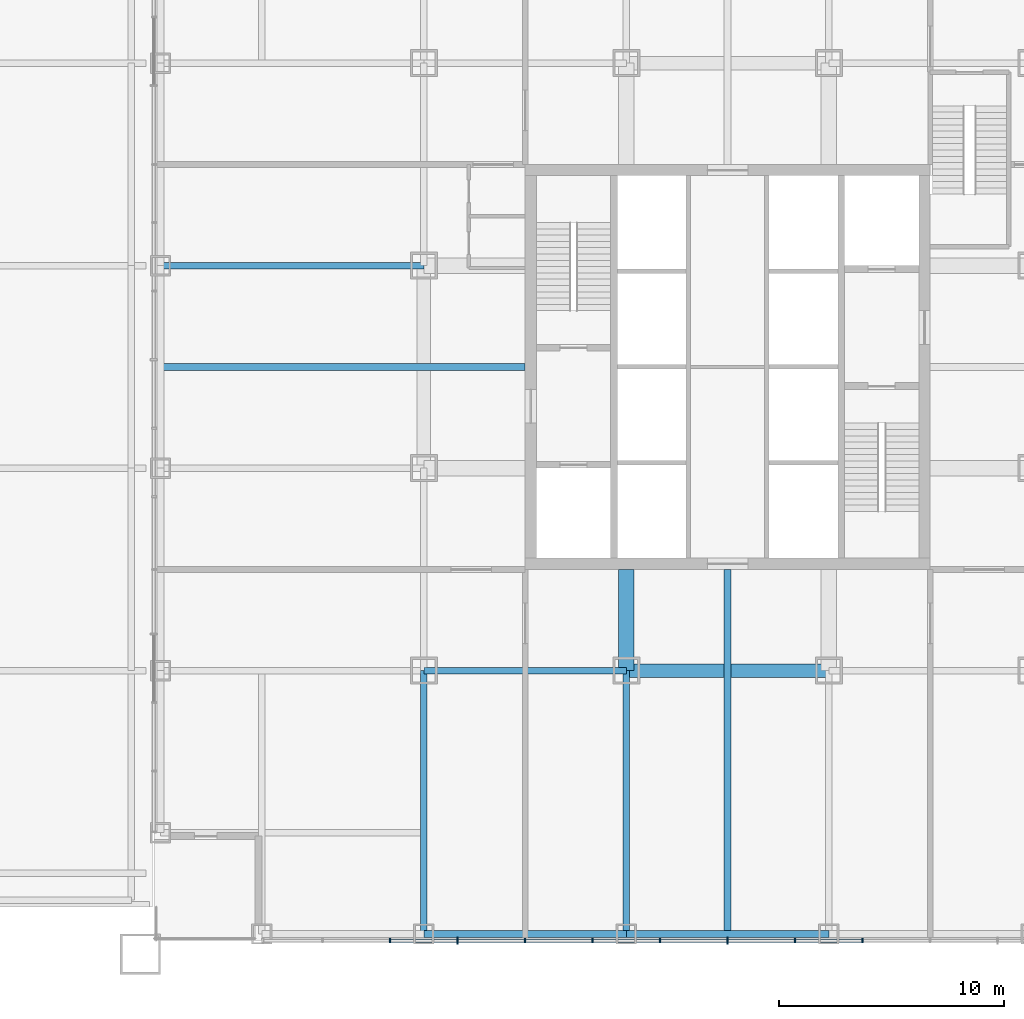
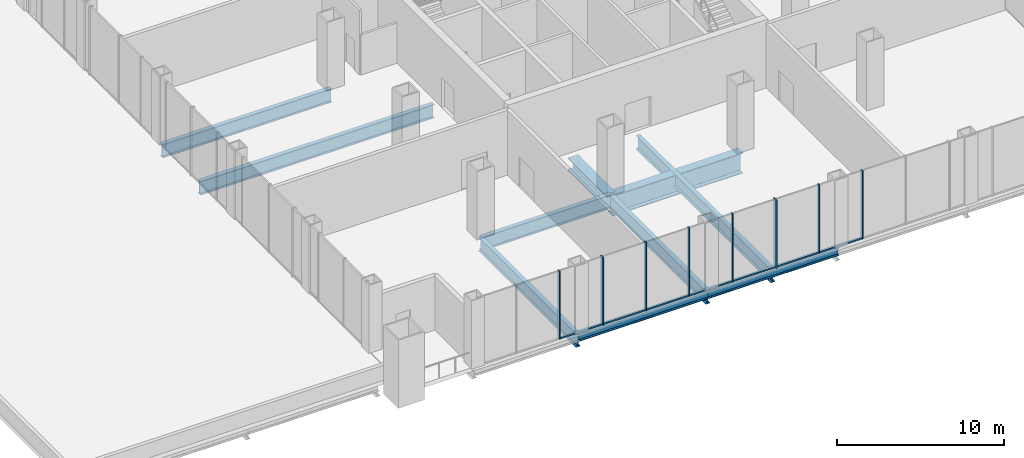
# One storey, part 4 of 16: 15 members, 10 beams, 1 element without a shape of its own.
"""IFC4 building model written with IfcOpenShell, lengths in metres."""

from ifc_helpers import new_model, si_unit, direction, frame, origin, origin_2d, place, context, subcontext, project, spatial, rectangle, i_section, extrude, material, layer, layer_set, material_profile, profile_set, type_object, element, aggregate, save


model = new_model("IFC4")

# Units and contexts
model_context = context("Model", 3, precision=1e-05, world=origin(), true_north=direction((0.0, 1.0)))
body_context = subcontext(model_context, "Body", "Model", "MODEL_VIEW")
ifc_project = project(units=[si_unit("LENGTHUNIT", "METRE"), si_unit("AREAUNIT", "SQUARE_METRE"), si_unit("VOLUMEUNIT", "CUBIC_METRE"), si_unit("PLANEANGLEUNIT", "RADIAN"), si_unit("MASSUNIT", "GRAM", prefix="KILO")], contexts=[model_context])

# Site, building, storey
site_placement = place(None, origin())
site = spatial("IfcSite", under=ifc_project, at=site_placement, CompositionType="ELEMENT")
building_placement = place(site_placement, origin())
building = spatial("IfcBuilding", under=site, at=building_placement, Name="Malebo Sky Hospital", CompositionType="ELEMENT")
storey_placement = place(building_placement, frame((0.0, 0.0, 26.0)))
storey = spatial("IfcBuildingStorey", under=building, at=storey_placement, Name="L05", CompositionType="ELEMENT", Elevation=26.0)

# Curtain wall, members
ifc_material_1 = material(Name="Anodised aluminium, natural silver", Category="aluminium")
ifc_layer = layer(ifc_material_1, 0.25)
ifc_layer_set = layer_set([ifc_layer], Name="PLANT LOUVRE SCREEN")
curtain_wall_type = type_object("IfcCurtainWallType", Name="PLANT LOUVRE SCREEN", PredefinedType="NOTDEFINED", material=ifc_layer_set)
curtain_wall_placement = place(storey_placement, origin())
curtain_wall = element("IfcCurtainWall", 1, at=curtain_wall_placement, inside=storey, type_object=curtain_wall_type, Name="PLANT curtain wall S", PredefinedType="NOTDEFINED")
ifc_material_profile_1 = material_profile(ifc_material_1, rectangle(XDim=0.14990234375, YDim=0.10009765625, at=origin_2d()), Name="ALUMINIUM TRANSOM 150x100")
ifc_profile_set_1 = profile_set([ifc_material_profile_1], Name="Anodised aluminium, natural silver")
member_type_1 = type_object("IfcMemberType", Name="ALUMINIUM TRANSOM 150x100", PredefinedType="USERDEFINED", material=ifc_profile_set_1)
member_1_placement = place(storey_placement, frame((65.96240234375, 36.5, 0.050048828125), z_axis=(-1.0, 0.0, 0.0), x_axis=(0.0, -1.0, 0.0)))
member_1 = element("IfcMember", 2, at=member_1_placement, type_object=member_type_1, Name="Transom 6", ObjectType="TRANSOM", PredefinedType="USERDEFINED", context=body_context, shape_type="SweptSolid", body=[
    extrude(rectangle(XDim=0.14990234375, YDim=0.10009765625, at=origin_2d()), origin(), (0.0, 0.0, 1.0), 2.9248046875),
])
member_2_placement = place(storey_placement, frame((62.96240234375, 36.5, 0.050048828125), z_axis=(-1.0, 0.0, 0.0), x_axis=(0.0, -1.0, 0.0)))
member_2 = element("IfcMember", 3, at=member_2_placement, type_object=member_type_1, Name="Transom 7", ObjectType="TRANSOM", PredefinedType="USERDEFINED", context=body_context, shape_type="SweptSolid", body=[
    extrude(rectangle(XDim=0.14990234375, YDim=0.10009765625, at=origin_2d()), origin(), (0.0, 0.0, 1.0), 2.9248046875),
])
member_3_placement = place(storey_placement, frame((59.96240234375, 36.5, 0.050048828125), z_axis=(-1.0, 0.0, 0.0), x_axis=(0.0, -1.0, 0.0)))
member_3 = element("IfcMember", 4, at=member_3_placement, type_object=member_type_1, Name="Transom 8", ObjectType="TRANSOM", PredefinedType="USERDEFINED", context=body_context, shape_type="SweptSolid", body=[
    extrude(rectangle(XDim=0.14990234375, YDim=0.10009765625, at=origin_2d()), origin(), (0.0, 0.0, 1.0), 2.9248046875),
])
member_4_placement = place(storey_placement, frame((56.96240234375, 36.5, 0.050048828125), z_axis=(-1.0, 0.0, 0.0), x_axis=(0.0, -1.0, 0.0)))
member_4 = element("IfcMember", 5, at=member_4_placement, type_object=member_type_1, Name="Transom 9", ObjectType="TRANSOM", PredefinedType="USERDEFINED", context=body_context, shape_type="SweptSolid", body=[
    extrude(rectangle(XDim=0.14990234375, YDim=0.10009765625, at=origin_2d()), origin(), (0.0, 0.0, 1.0), 2.9248046875),
])
member_5_placement = place(storey_placement, frame((53.96240234375, 36.5, 0.050048828125), z_axis=(-1.0, 0.0, 0.0), x_axis=(0.0, -1.0, 0.0)))
member_5 = element("IfcMember", 6, at=member_5_placement, type_object=member_type_1, Name="Transom 10", ObjectType="TRANSOM", PredefinedType="USERDEFINED", context=body_context, shape_type="SweptSolid", body=[
    extrude(rectangle(XDim=0.14990234375, YDim=0.10009765625, at=origin_2d()), origin(), (0.0, 0.0, 1.0), 2.9248046875),
])
member_6_placement = place(storey_placement, frame((50.96240234375, 36.5, 0.050048828125), z_axis=(-1.0, 0.0, 0.0), x_axis=(0.0, -1.0, 0.0)))
member_6 = element("IfcMember", 7, at=member_6_placement, type_object=member_type_1, Name="Transom 11", ObjectType="TRANSOM", PredefinedType="USERDEFINED", context=body_context, shape_type="SweptSolid", body=[
    extrude(rectangle(XDim=0.14990234375, YDim=0.10009765625, at=origin_2d()), origin(), (0.0, 0.0, 1.0), 2.9248046875),
])
member_7_placement = place(storey_placement, frame((47.96240234375, 36.5, 0.050048828125), z_axis=(-1.0, 0.0, 0.0), x_axis=(0.0, -1.0, 0.0)))
member_7 = element("IfcMember", 8, at=member_7_placement, type_object=member_type_1, Name="Transom 12", ObjectType="TRANSOM", PredefinedType="USERDEFINED", context=body_context, shape_type="SweptSolid", body=[
    extrude(rectangle(XDim=0.14990234375, YDim=0.10009765625, at=origin_2d()), origin(), (0.0, 0.0, 1.0), 2.9248046875),
])
ifc_material_profile_2 = material_profile(ifc_material_1, rectangle(XDim=0.074951171875, YDim=0.199951171875, at=origin_2d()), Name="CW5 ALUMINIUM FIN MULLION 75x200")
ifc_profile_set_2 = profile_set([ifc_material_profile_2], Name="Anodised aluminium, natural silver")
member_type_2 = type_object("IfcMemberType", Name="CW5 ALUMINIUM FIN MULLION 75x200", PredefinedType="MULLION", material=ifc_profile_set_2)
member_8_placement = place(storey_placement, frame((66.0, 36.5, 0.0), z_axis=(0.0, 0.0, 1.0), x_axis=(-1.0, 0.0, 0.0)))
member_8 = element("IfcMember", 9, at=member_8_placement, type_object=member_type_2, Name="Fin mullion 6", PredefinedType="MULLION", context=body_context, shape_type="SweptSolid", body=[
    extrude(rectangle(XDim=0.074951171875, YDim=0.199951171875, at=origin_2d()), origin(), (0.0, 0.0, 1.0), 5.0),
])
member_9_placement = place(storey_placement, frame((63.0, 36.5, 0.0), z_axis=(0.0, 0.0, 1.0), x_axis=(-1.0, 0.0, 0.0)))
member_9 = element("IfcMember", 10, at=member_9_placement, type_object=member_type_2, Name="Fin mullion 7", PredefinedType="MULLION", context=body_context, shape_type="SweptSolid", body=[
    extrude(rectangle(XDim=0.074951171875, YDim=0.199951171875, at=origin_2d()), origin(), (0.0, 0.0, 1.0), 5.0),
])
member_10_placement = place(storey_placement, frame((57.0, 36.5, 0.0), z_axis=(0.0, 0.0, 1.0), x_axis=(-1.0, 0.0, 0.0)))
member_10 = element("IfcMember", 11, at=member_10_placement, type_object=member_type_2, Name="Fin mullion 9", PredefinedType="MULLION", context=body_context, shape_type="SweptSolid", body=[
    extrude(rectangle(XDim=0.074951171875, YDim=0.199951171875, at=origin_2d()), origin(), (0.0, 0.0, 1.0), 5.0),
])
member_11_placement = place(storey_placement, frame((54.0, 36.5, 0.0), z_axis=(0.0, 0.0, 1.0), x_axis=(-1.0, 0.0, 0.0)))
member_11 = element("IfcMember", 12, at=member_11_placement, type_object=member_type_2, Name="Fin mullion 10", PredefinedType="MULLION", context=body_context, shape_type="SweptSolid", body=[
    extrude(rectangle(XDim=0.074951171875, YDim=0.199951171875, at=origin_2d()), origin(), (0.0, 0.0, 1.0), 5.0),
])
member_12_placement = place(storey_placement, frame((51.0, 36.5, 0.0), z_axis=(0.0, 0.0, 1.0), x_axis=(-1.0, 0.0, 0.0)))
member_12 = element("IfcMember", 13, at=member_12_placement, type_object=member_type_2, Name="Fin mullion 11", PredefinedType="MULLION", context=body_context, shape_type="SweptSolid", body=[
    extrude(rectangle(XDim=0.074951171875, YDim=0.199951171875, at=origin_2d()), origin(), (0.0, 0.0, 1.0), 5.0),
])
member_13_placement = place(storey_placement, frame((45.0, 36.5, 0.0), z_axis=(0.0, 0.0, 1.0), x_axis=(-1.0, 0.0, 0.0)))
member_13 = element("IfcMember", 14, at=member_13_placement, type_object=member_type_2, Name="Fin mullion 13", PredefinedType="MULLION", context=body_context, shape_type="SweptSolid", body=[
    extrude(rectangle(XDim=0.074951171875, YDim=0.199951171875, at=origin_2d()), origin(), (0.0, 0.0, 1.0), 5.0),
])
ifc_material_profile_3 = material_profile(ifc_material_1, rectangle(XDim=0.074951171875, YDim=0.300048828125, at=origin_2d()), Name="CW5 ALUMINIUM FIN MULLION 75x300")
ifc_profile_set_3 = profile_set([ifc_material_profile_3], Name="Anodised aluminium, natural silver")
member_type_3 = type_object("IfcMemberType", Name="CW5 ALUMINIUM FIN MULLION 75x300", PredefinedType="MULLION", material=ifc_profile_set_3)
member_14_placement = place(storey_placement, frame((60.0, 36.5, 0.0), z_axis=(0.0, 0.0, 1.0), x_axis=(-1.0, 0.0, 0.0)))
member_14 = element("IfcMember", 15, at=member_14_placement, type_object=member_type_3, Name="Fin mullion 8", PredefinedType="MULLION", context=body_context, shape_type="SweptSolid", body=[
    extrude(rectangle(XDim=0.074951171875, YDim=0.300048828125, at=origin_2d()), origin(), (0.0, 0.0, 1.0), 5.0),
])
member_15_placement = place(storey_placement, frame((48.0, 36.5, 0.0), z_axis=(0.0, 0.0, 1.0), x_axis=(-1.0, 0.0, 0.0)))
member_15 = element("IfcMember", 16, at=member_15_placement, type_object=member_type_3, Name="Fin mullion 12", PredefinedType="MULLION", context=body_context, shape_type="SweptSolid", body=[
    extrude(rectangle(XDim=0.074951171875, YDim=0.300048828125, at=origin_2d()), origin(), (0.0, 0.0, 1.0), 5.0),
])
aggregate(curtain_wall, [member_8, member_9, member_14, member_10, member_11, member_12, member_15, member_13, member_1, member_2, member_3, member_4, member_5, member_6, member_7])

# Beams
ifc_material_2 = material(Name="Steel S355", Category="steel")
ifc_material_profile_4 = material_profile(ifc_material_2, i_section(OverallWidth=0.305908203125, OverallDepth=0.52392578125, WebThickness=0.02099609375, FlangeThickness=0.0400390625, FilletRadius=0.027099609375, at=origin_2d()), Name="HEM 500")
ifc_profile_set_4 = profile_set([ifc_material_profile_4], Name="Steel S355")
beam_type_1 = type_object("IfcBeamType", Name="EDGE BEAM HEM 500", PredefinedType="BEAM", material=ifc_profile_set_4)
for number, where, z_axis, x_axis, name in (
    (17, (46.5, 36.800048828125, -0.56201171875), (1.0, 0.0, 0.0), (0.0, 1.0, 0.0), "Beam 035 L05"),
    (18, (55.5, 36.800048828125, -0.56201171875), (1.0, 0.0, 0.0), (0.0, 1.0, 0.0), "Beam 036 L05"),
):
    element("IfcBeam", number, at=place(storey_placement, frame(where, z_axis=z_axis, x_axis=x_axis)), inside=storey, type_object=beam_type_1, Name=name, PredefinedType="BEAM", context=body_context, shape_type="SweptSolid", body=[
        extrude(i_section(OverallWidth=0.305908203125, OverallDepth=0.52392578125, WebThickness=0.02099609375, FlangeThickness=0.0400390625, FilletRadius=0.027099609375, at=origin_2d()), origin(), (0.0, 0.0, 1.0), 9.0),
    ])
ifc_material_profile_5 = material_profile(ifc_material_2, i_section(OverallWidth=0.300048828125, OverallDepth=1.0, WebThickness=0.01904296875, FlangeThickness=0.035888671875, FilletRadius=0.030029296875, at=origin_2d()), Name="HEB 1000")
ifc_profile_set_5 = profile_set([ifc_material_profile_5], Name="Steel S355")
beam_type_2 = type_object("IfcBeamType", Name="FLOOR BEAM HEB 1000", PredefinedType="BEAM", material=ifc_profile_set_5)
beam_1_placement = place(storey_placement, frame((55.5, 36.800048828125, -0.800048828125), z_axis=(0.0, 1.0, 0.0), x_axis=(-1.0, 0.0, 0.0)))
element("IfcBeam", 19, at=beam_1_placement, inside=storey, type_object=beam_type_2, Name="Beam 012 L05", PredefinedType="BEAM", context=body_context, shape_type="SweptSolid", body=[
    extrude(i_section(OverallWidth=0.300048828125, OverallDepth=1.0, WebThickness=0.01904296875, FlangeThickness=0.035888671875, FilletRadius=0.030029296875, at=origin_2d()), origin(), (0.0, 0.0, 1.0), 11.699951171875),
])
beam_2_placement = place(storey_placement, frame((60.0, 36.800048828125, -0.800048828125), z_axis=(0.0, 1.0, 0.0), x_axis=(-1.0, 0.0, 0.0)))
element("IfcBeam", 20, at=beam_2_placement, inside=storey, type_object=beam_type_2, Name="Beam 016 L05", PredefinedType="BEAM", context=body_context, shape_type="SweptSolid", body=[
    extrude(i_section(OverallWidth=0.300048828125, OverallDepth=1.0, WebThickness=0.01904296875, FlangeThickness=0.035888671875, FilletRadius=0.030029296875, at=origin_2d()), origin(), (0.0, 0.0, 1.0), 16.199951171875),
])
beam_3_placement = place(storey_placement, frame((46.5, 48.5, -0.800048828125), z_axis=(1.0, 0.0, 0.0), x_axis=(0.0, 1.0, 0.0)))
element("IfcBeam", 21, at=beam_3_placement, inside=storey, type_object=beam_type_2, Name="Beam 042 L05", PredefinedType="BEAM", context=body_context, shape_type="SweptSolid", body=[
    extrude(i_section(OverallWidth=0.300048828125, OverallDepth=1.0, WebThickness=0.01904296875, FlangeThickness=0.035888671875, FilletRadius=0.030029296875, at=origin_2d()), origin(), (0.0, 0.0, 1.0), 9.0),
])
beam_4_placement = place(storey_placement, frame((34.800048828125, 62.0, -0.800048828125), z_axis=(1.0, 0.0, 0.0), x_axis=(0.0, 1.0, 0.0)))
element("IfcBeam", 22, at=beam_4_placement, inside=storey, type_object=beam_type_2, Name="Beam 050 L05", PredefinedType="BEAM", context=body_context, shape_type="SweptSolid", body=[
    extrude(i_section(OverallWidth=0.300048828125, OverallDepth=1.0, WebThickness=0.01904296875, FlangeThickness=0.035888671875, FilletRadius=0.030029296875, at=origin_2d()), origin(), (0.0, 0.0, 1.0), 16.199951171875),
])
beam_5_placement = place(storey_placement, frame((34.800048828125, 66.5, -0.800048828125), z_axis=(1.0, 0.0, 0.0), x_axis=(0.0, 1.0, 0.0)))
element("IfcBeam", 23, at=beam_5_placement, inside=storey, type_object=beam_type_2, Name="Beam 052 L05", PredefinedType="BEAM", context=body_context, shape_type="SweptSolid", body=[
    extrude(i_section(OverallWidth=0.300048828125, OverallDepth=1.0, WebThickness=0.01904296875, FlangeThickness=0.035888671875, FilletRadius=0.030029296875, at=origin_2d()), origin(), (0.0, 0.0, 1.0), 11.699951171875),
])
ifc_material_profile_6 = material_profile(ifc_material_2, i_section(OverallWidth=0.699951171875, OverallDepth=0.89990234375, WebThickness=0.0400390625, FlangeThickness=0.070068359375, at=origin_2d()), Name="PG 900x700x40x70")
ifc_profile_set_6 = profile_set([ifc_material_profile_6], Name="Steel S355")
beam_type_3 = type_object("IfcBeamType", Name="FLOOR BEAM PG 900x700x40x70", PredefinedType="BEAM", material=ifc_profile_set_6)
beam_6_placement = place(storey_placement, frame((55.5, 48.5, -0.75), z_axis=(0.0, 1.0, 0.0), x_axis=(-1.0, 0.0, 0.0)))
element("IfcBeam", 24, at=beam_6_placement, inside=storey, type_object=beam_type_3, Name="Beam 013 L05", PredefinedType="BEAM", context=body_context, shape_type="SweptSolid", body=[
    extrude(i_section(OverallWidth=0.699951171875, OverallDepth=0.89990234375, WebThickness=0.0400390625, FlangeThickness=0.070068359375, at=origin_2d()), origin(), (0.0, 0.0, 1.0), 4.5),
])
ifc_material_profile_7 = material_profile(ifc_material_2, i_section(OverallWidth=0.300048828125, OverallDepth=1.0, WebThickness=0.01904296875, FlangeThickness=0.035888671875, FilletRadius=0.030029296875, at=origin_2d()), Name="HEB 1000")
ifc_profile_set_7 = profile_set([ifc_material_profile_7], Name="Steel S355")
beam_type_4 = type_object("IfcBeamType", Name="FLOOR GIRDER HEB 1000", PredefinedType="BEAM", material=ifc_profile_set_7)
beam_7_placement = place(storey_placement, frame((46.5, 36.800048828125, -0.800048828125), z_axis=(0.0, 1.0, 0.0), x_axis=(-1.0, 0.0, 0.0)))
element("IfcBeam", 25, at=beam_7_placement, inside=storey, type_object=beam_type_4, Name="Beam 007 L05", PredefinedType="BEAM", context=body_context, shape_type="SweptSolid", body=[
    extrude(i_section(OverallWidth=0.300048828125, OverallDepth=1.0, WebThickness=0.01904296875, FlangeThickness=0.035888671875, FilletRadius=0.030029296875, at=origin_2d()), origin(), (0.0, 0.0, 1.0), 11.699951171875),
])
ifc_material_profile_8 = material_profile(ifc_material_2, i_section(OverallWidth=0.60009765625, OverallDepth=1.5, WebThickness=0.030029296875, FlangeThickness=0.06005859375, at=origin_2d()), Name="PG 1500x600x30x60")
ifc_profile_set_8 = profile_set([ifc_material_profile_8], Name="Steel S355")
beam_type_5 = type_object("IfcBeamType", Name="RING GIRDER PG 1500x600x30x60", PredefinedType="BEAM", material=ifc_profile_set_8)
beam_8_placement = place(storey_placement, frame((55.5, 48.5, -1.050048828125), z_axis=(1.0, 0.0, 0.0), x_axis=(0.0, 1.0, 0.0)))
element("IfcBeam", 26, at=beam_8_placement, inside=storey, type_object=beam_type_5, Name="Beam 043 L05", PredefinedType="BEAM", context=body_context, shape_type="SweptSolid", body=[
    extrude(i_section(OverallWidth=0.60009765625, OverallDepth=1.5, WebThickness=0.030029296875, FlangeThickness=0.06005859375, at=origin_2d()), origin(), (0.0, 0.0, 1.0), 9.0),
])

save(model, "model.ifc")
